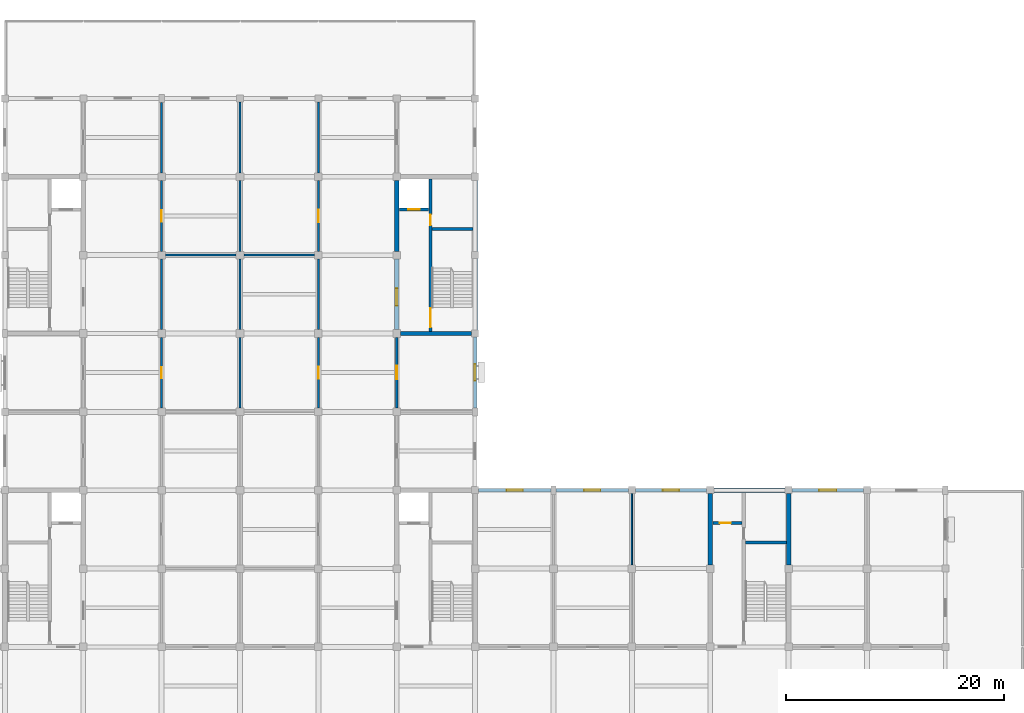
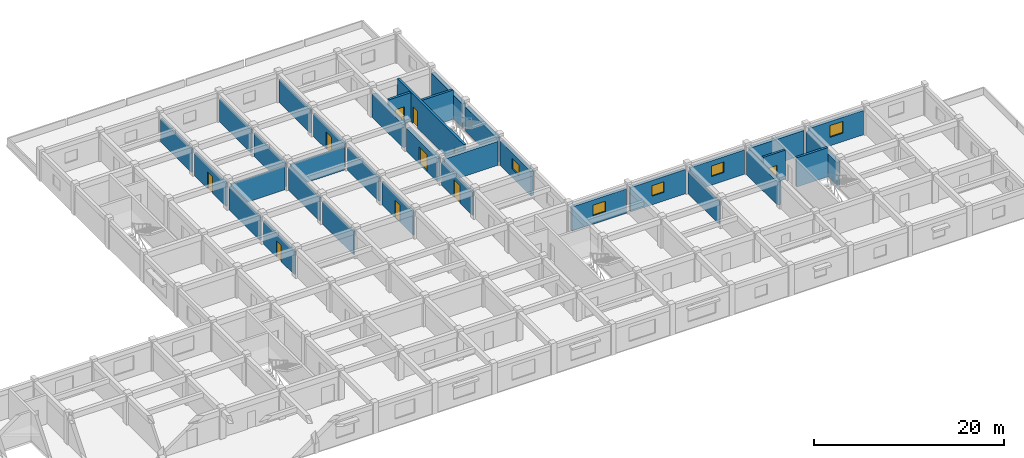
# One storey, part 8 of 16: 34 walls, 10 doors, 5 windows, 15 openings.
"""IFC4 building model written with IfcOpenShell, lengths in metres."""

from ifc_helpers import new_model, si_unit, direction, frame, frame_2d, origin, place, context, subcontext, project, spatial, rectangle, extrude, material, layer, layer_set, type_object, element, fill, save


model = new_model("IFC4")

# Units and contexts
model_context = context("Model", 3, precision=1e-05, world=origin(), true_north=direction((0.0, 1.0)))
body_context = subcontext(model_context, "Body", "Model", "MODEL_VIEW")
ifc_project = project(units=[si_unit("LENGTHUNIT", "METRE"), si_unit("AREAUNIT", "SQUARE_METRE"), si_unit("VOLUMEUNIT", "CUBIC_METRE"), si_unit("PLANEANGLEUNIT", "RADIAN"), si_unit("MASSUNIT", "GRAM", prefix="KILO")], contexts=[model_context])

# Site, building, storey
site_placement = place(None, origin())
site = spatial("IfcSite", under=ifc_project, at=site_placement, CompositionType="ELEMENT")
building_placement = place(site_placement, origin())
building = spatial("IfcBuilding", under=site, at=building_placement, Name="Cendaluz Park School", CompositionType="ELEMENT")
storey_placement = place(building_placement, frame((0.0, 0.0, 22.60009765625)))
storey = spatial("IfcBuildingStorey", under=building, at=storey_placement, Name="L05", CompositionType="ELEMENT", Elevation=22.60009765625)

# Wall, opening, door
ifc_material_1 = material(Name="Gypsum Plasterboard on Cold-Formed Stud", Category="gypsum")
ifc_layer_1 = layer(ifc_material_1, 0.199951171875)
ifc_layer_set_1 = layer_set([ifc_layer_1], Name="Gypsum Plasterboard on Cold-Formed Stud")
wall_type_1 = type_object("IfcWallType", Name="W-AC20", PredefinedType="PARTITIONING", material=ifc_layer_set_1)
wall_1_placement = place(storey_placement, frame((79.199951171875, 36.35009765625, 0.0), z_axis=(0.0, 0.0, 1.0), x_axis=(0.0, 1.0, 0.0)))
wall_1 = element("IfcWall", 1, at=wall_1_placement, inside=storey, type_object=wall_type_1, Name="WL-FF-BT3", PredefinedType="PARTITIONING", context=body_context, shape_type="SweptSolid", body=[
    extrude(rectangle(XDim=6.5, YDim=0.199951171875, at=frame_2d((3.25, 0.0))), origin(), (0.0, 0.0, 1.0), 2.97998046875),
])
opening_1_placement = place(wall_1_placement, frame((2.739990234375, 0.0, 0.0)))
opening_1 = element("IfcOpeningElement", 2, at=opening_1_placement, cuts=wall_1, Name="Opening DCL-02", PredefinedType="OPENING", context=body_context, shape_type="SweptSolid", body=[
    extrude(rectangle(XDim=1.02001953125, YDim=2.1201171875, at=frame_2d((0.510009765625, 1.06005859375))), frame((0.0, 0.112060546875, 0.0), z_axis=(0.0, -1.0, 0.0), x_axis=(1.0, 0.0, 0.0)), (0.0, 0.0, 1.0), 0.223876953125),
])
ifc_material_2 = material(Name="Solid Core Hardwood", Category="wood")
door_type_1 = type_object("IfcDoorType", Name="DCL-02", OperationType="NOTDEFINED", PredefinedType="DOOR", material=ifc_material_2)
door_1_placement = place(opening_1_placement, frame((1.02001953125, 0.0, 0.0), z_axis=(0.0, 0.0, 1.0), x_axis=(-1.0, 0.0, 0.0)))
door_1 = element("IfcDoor", 3, at=door_1_placement, inside=storey, type_object=door_type_1, Name="D-L05-042", OperationType="SINGLE_SWING_RIGHT", OverallHeight=2.1201171875, OverallWidth=1.02001953125, PredefinedType="DOOR", context=body_context, shape_type="SweptSolid", body=[
    extrude(rectangle(XDim=1.02001953125, YDim=2.1201171875, at=frame_2d((0.510009765625, 1.06005859375))), frame((0.0, 0.02490234375, 0.0), z_axis=(0.0, -1.0, 0.0), x_axis=(1.0, 0.0, 0.0)), (0.0, 0.0, 1.0), 0.050048828125),
])
fill(opening_1, door_1)

# Walls
for number, where, z_axis, x_axis, name in (
    (4, (86.39990234375, 36.35009765625, 0.0), (0.0, 0.0, 1.0), (0.0, 1.0, 0.0), "WL-FF-BT4"),
    (5, (79.550048828125, 50.39990234375, 0.0), (0.0, 0.0, 1.0), (1.0, 0.0, 0.0), "WL-FF-BT5"),
    (6, (79.199951171875, 43.550048828125, 0.0), (0.0, 0.0, 1.0), (0.0, 1.0, 0.0), "WL-FF-BT6"),
    (7, (86.39990234375, 43.550048828125, 0.0), (0.0, 0.0, 1.0), (0.0, 1.0, 0.0), "WL-FF-BT7"),
):
    element("IfcWall", number, at=place(storey_placement, frame(where, z_axis=z_axis, x_axis=x_axis)), inside=storey, type_object=wall_type_1, Name=name, PredefinedType="PARTITIONING", context=body_context, shape_type="SweptSolid", body=[
        extrude(rectangle(XDim=6.5, YDim=0.199951171875, at=frame_2d((3.25, 0.0))), origin(), (0.0, 0.0, 1.0), 2.97998046875),
    ])

# Wall, opening, door
wall_2_placement = place(storey_placement, frame((79.199951171875, 50.75, 0.0), z_axis=(0.0, 0.0, 1.0), x_axis=(0.0, 1.0, 0.0)))
wall_2 = element("IfcWall", 8, at=wall_2_placement, inside=storey, type_object=wall_type_1, Name="WL-FF-BT8", PredefinedType="PARTITIONING", context=body_context, shape_type="SweptSolid", body=[
    extrude(rectangle(XDim=6.5, YDim=0.199951171875, at=frame_2d((3.25, 0.0))), origin(), (0.0, 0.0, 1.0), 2.97998046875),
])
opening_2_placement = place(wall_2_placement, frame((2.72998046875, 0.0, 0.0)))
opening_2 = element("IfcOpeningElement", 9, at=opening_2_placement, cuts=wall_2, Name="Opening DCL-03", PredefinedType="OPENING", context=body_context, shape_type="SweptSolid", body=[
    extrude(rectangle(XDim=1.0400390625, YDim=2.139892578125, at=frame_2d((0.52001953125, 1.06982421875))), frame((0.0, 0.112060546875, 0.0), z_axis=(0.0, -1.0, 0.0), x_axis=(1.0, 0.0, 0.0)), (0.0, 0.0, 1.0), 0.223876953125),
])
door_type_2 = type_object("IfcDoorType", Name="DCL-03", OperationType="NOTDEFINED", PredefinedType="DOOR", material=ifc_material_2)
door_2_placement = place(opening_2_placement, frame((1.0400390625, 0.0, 0.0), z_axis=(0.0, 0.0, 1.0), x_axis=(-1.0, 0.0, 0.0)))
door_2 = element("IfcDoor", 10, at=door_2_placement, inside=storey, type_object=door_type_2, Name="D-L05-043", OperationType="SINGLE_SWING_LEFT", OverallHeight=2.139892578125, OverallWidth=1.0400390625, PredefinedType="DOOR", context=body_context, shape_type="SweptSolid", body=[
    extrude(rectangle(XDim=1.0400390625, YDim=2.139892578125, at=frame_2d((0.52001953125, 1.06982421875))), frame((0.0, 0.02490234375, 0.0), z_axis=(0.0, -1.0, 0.0), x_axis=(1.0, 0.0, 0.0)), (0.0, 0.0, 1.0), 0.050048828125),
])
fill(opening_2, door_2)

# Walls
wall_3_placement = place(storey_placement, frame((86.39990234375, 50.75, 0.0), z_axis=(0.0, 0.0, 1.0), x_axis=(0.0, 1.0, 0.0)))
element("IfcWall", 11, at=wall_3_placement, inside=storey, type_object=wall_type_1, Name="WL-FF-BT9", PredefinedType="PARTITIONING", context=body_context, shape_type="SweptSolid", body=[
    extrude(rectangle(XDim=6.5, YDim=0.199951171875, at=frame_2d((3.25, 0.0))), origin(), (0.0, 0.0, 1.0), 2.97998046875),
])
wall_4_placement = place(storey_placement, frame((79.199951171875, 57.949951171875, 0.0), z_axis=(0.0, 0.0, 1.0), x_axis=(0.0, 1.0, 0.0)))
element("IfcWall", 12, at=wall_4_placement, inside=storey, type_object=wall_type_1, Name="WL-FF-BU0", PredefinedType="PARTITIONING", context=body_context, shape_type="SweptSolid", body=[
    extrude(rectangle(XDim=6.47509765625, YDim=0.199951171875, at=frame_2d((3.237548828125, 0.0))), origin(), (0.0, 0.0, 1.0), 2.97998046875),
])
wall_5_placement = place(storey_placement, frame((86.39990234375, 57.949951171875, 0.0), z_axis=(0.0, 0.0, 1.0), x_axis=(0.0, 1.0, 0.0)))
element("IfcWall", 13, at=wall_5_placement, inside=storey, type_object=wall_type_1, Name="WL-FF-BU1", PredefinedType="PARTITIONING", context=body_context, shape_type="SweptSolid", body=[
    extrude(rectangle(XDim=6.525146484375, YDim=0.199951171875, at=frame_2d((3.2626953125, 0.0))), origin(), (0.0, 0.0, 1.0), 2.97998046875),
])

# Wall, opening, door
wall_6_placement = place(storey_placement, frame((93.60009765625, 36.35009765625, 0.0), z_axis=(0.0, 0.0, 1.0), x_axis=(0.0, 1.0, 0.0)))
wall_6 = element("IfcWall", 14, at=wall_6_placement, inside=storey, type_object=wall_type_1, Name="WL-FF-BU8", PredefinedType="PARTITIONING", context=body_context, shape_type="SweptSolid", body=[
    extrude(rectangle(XDim=6.5, YDim=0.199951171875, at=frame_2d((3.25, 0.0))), origin(), (0.0, 0.0, 1.0), 2.97998046875),
])
opening_3_placement = place(wall_6_placement, frame((2.68994140625, 0.0, 0.0)))
opening_3 = element("IfcOpeningElement", 15, at=opening_3_placement, cuts=wall_6, Name="Opening DCL-06", PredefinedType="OPENING", context=body_context, shape_type="SweptSolid", body=[
    extrude(rectangle(XDim=1.1201171875, YDim=2.199951171875, at=frame_2d((0.56005859375, 1.10009765625))), frame((0.0, 0.112060546875, 0.0), z_axis=(0.0, -1.0, 0.0), x_axis=(1.0, 0.0, 0.0)), (0.0, 0.0, 1.0), 0.223876953125),
])
door_type_3 = type_object("IfcDoorType", Name="DCL-06", OperationType="NOTDEFINED", PredefinedType="DOOR", material=ifc_material_2)
door_3_placement = place(opening_3_placement, origin())
door_3 = element("IfcDoor", 16, at=door_3_placement, inside=storey, type_object=door_type_3, Name="D-L05-046", OperationType="SINGLE_SWING_RIGHT", OverallHeight=2.199951171875, OverallWidth=1.1201171875, PredefinedType="DOOR", context=body_context, shape_type="SweptSolid", body=[
    extrude(rectangle(XDim=1.1201171875, YDim=2.199951171875, at=frame_2d((0.56005859375, 1.10009765625))), frame((0.0, 0.02490234375, 0.0), z_axis=(0.0, -1.0, 0.0), x_axis=(1.0, 0.0, 0.0)), (0.0, 0.0, 1.0), 0.050048828125),
])
fill(opening_3, door_3)

# Walls
for number, where, z_axis, x_axis, name in (
    (17, (86.75, 50.39990234375, 0.0), (0.0, 0.0, 1.0), (1.0, 0.0, 0.0), "WL-FF-BU9"),
    (18, (93.60009765625, 43.550048828125, 0.0), (0.0, 0.0, 1.0), (0.0, 1.0, 0.0), "WL-FF-BV0"),
):
    element("IfcWall", number, at=place(storey_placement, frame(where, z_axis=z_axis, x_axis=x_axis)), inside=storey, type_object=wall_type_1, Name=name, PredefinedType="PARTITIONING", context=body_context, shape_type="SweptSolid", body=[
        extrude(rectangle(XDim=6.5, YDim=0.199951171875, at=frame_2d((3.25, 0.0))), origin(), (0.0, 0.0, 1.0), 2.97998046875),
    ])

# Wall, opening, door
wall_7_placement = place(storey_placement, frame((93.60009765625, 50.75, 0.0), z_axis=(0.0, 0.0, 1.0), x_axis=(0.0, 1.0, 0.0)))
wall_7 = element("IfcWall", 19, at=wall_7_placement, inside=storey, type_object=wall_type_1, Name="WL-FF-BV1", PredefinedType="PARTITIONING", context=body_context, shape_type="SweptSolid", body=[
    extrude(rectangle(XDim=6.5, YDim=0.199951171875, at=frame_2d((3.25, 0.0))), origin(), (0.0, 0.0, 1.0), 2.97998046875),
])
opening_4_placement = place(wall_7_placement, frame((2.669921875, 0.0, 0.0)))
opening_4 = element("IfcOpeningElement", 20, at=opening_4_placement, cuts=wall_7, Name="Opening DCL-07", PredefinedType="OPENING", context=body_context, shape_type="SweptSolid", body=[
    extrude(rectangle(XDim=1.159912109375, YDim=2.219970703125, at=frame_2d((0.580078125, 1.10986328125))), frame((0.0, 0.112060546875, 0.0), z_axis=(0.0, -1.0, 0.0), x_axis=(1.0, 0.0, 0.0)), (0.0, 0.0, 1.0), 0.223876953125),
])
door_type_4 = type_object("IfcDoorType", Name="DCL-07", OperationType="NOTDEFINED", PredefinedType="DOOR", material=ifc_material_2)
door_4_placement = place(opening_4_placement, origin())
door_4 = element("IfcDoor", 21, at=door_4_placement, inside=storey, type_object=door_type_4, Name="D-L05-047", OperationType="SINGLE_SWING_LEFT", OverallHeight=2.219970703125, OverallWidth=1.159912109375, PredefinedType="DOOR", context=body_context, shape_type="SweptSolid", body=[
    extrude(rectangle(XDim=1.159912109375, YDim=2.219970703125, at=frame_2d((0.580078125, 1.10986328125))), frame((0.0, 0.02490234375, 0.0), z_axis=(0.0, -1.0, 0.0), x_axis=(1.0, 0.0, 0.0)), (0.0, 0.0, 1.0), 0.050048828125),
])
fill(opening_4, door_4)

# Wall
wall_8_placement = place(storey_placement, frame((93.60009765625, 57.949951171875, 0.0), z_axis=(0.0, 0.0, 1.0), x_axis=(0.0, 1.0, 0.0)))
element("IfcWall", 22, at=wall_8_placement, inside=storey, type_object=wall_type_1, Name="WL-FF-BV2", PredefinedType="PARTITIONING", context=body_context, shape_type="SweptSolid", body=[
    extrude(rectangle(XDim=6.525146484375, YDim=0.199951171875, at=frame_2d((3.2626953125, 0.0))), origin(), (0.0, 0.0, 1.0), 2.97998046875),
])

# Wall, opening, door
wall_9_placement = place(storey_placement, frame((100.800048828125, 36.35009765625, 0.0), z_axis=(0.0, 0.0, 1.0), x_axis=(0.0, 1.0, 0.0)))
wall_9 = element("IfcWall", 23, at=wall_9_placement, inside=storey, type_object=wall_type_1, Name="WL-FF-BV5", PredefinedType="PARTITIONING", context=body_context, shape_type="SweptSolid", body=[
    extrude(rectangle(XDim=6.5, YDim=0.199951171875, at=frame_2d((3.25, 0.0))), origin(), (0.0, 0.0, 1.0), 2.97998046875),
])
opening_5_placement = place(wall_9_placement, frame((2.6298828125, 0.0, 0.0)))
opening_5 = element("IfcOpeningElement", 24, at=opening_5_placement, cuts=wall_9, Name="Opening DCL-09", PredefinedType="OPENING", context=body_context, shape_type="SweptSolid", body=[
    extrude(rectangle(XDim=1.239990234375, YDim=2.260009765625, at=frame_2d((0.6201171875, 1.1298828125))), frame((0.0, 0.112060546875, 0.0), z_axis=(0.0, -1.0, 0.0), x_axis=(1.0, 0.0, 0.0)), (0.0, 0.0, 1.0), 0.223876953125),
])
door_type_5 = type_object("IfcDoorType", Name="DCL-09", OperationType="NOTDEFINED", PredefinedType="DOOR", material=ifc_material_2)
door_5_placement = place(opening_5_placement, frame((1.239990234375, 0.0, 0.0), z_axis=(0.0, 0.0, 1.0), x_axis=(-1.0, 0.0, 0.0)))
door_5 = element("IfcDoor", 25, at=door_5_placement, inside=storey, type_object=door_type_5, Name="D-L05-049", OperationType="SINGLE_SWING_LEFT", OverallHeight=2.260009765625, OverallWidth=1.239990234375, PredefinedType="DOOR", context=body_context, shape_type="SweptSolid", body=[
    extrude(rectangle(XDim=1.239990234375, YDim=2.260009765625, at=frame_2d((0.6201171875, 1.1298828125))), frame((0.0, 0.02490234375, 0.0), z_axis=(0.0, -1.0, 0.0), x_axis=(1.0, 0.0, 0.0)), (0.0, 0.0, 1.0), 0.050048828125),
])
fill(opening_5, door_5)

# Wall, opening, window
ifc_material_3 = material(Name="Concrete C40/50 precast", Category="concrete")
ifc_layer_2 = layer(ifc_material_3, 0.340087890625)
ifc_layer_set_2 = layer_set([ifc_layer_2], Name="Concrete C40/50 precast")
wall_type_2 = type_object("IfcWallType", Name="W-EX34", PredefinedType="SOLIDWALL", material=ifc_layer_set_2)
wall_10_placement = place(storey_placement, frame((108.0, 36.375, 0.0), z_axis=(0.0, 0.0, 1.0), x_axis=(0.0, 1.0, 0.0)))
wall_10 = element("IfcWall", 26, at=wall_10_placement, inside=storey, type_object=wall_type_2, Name="WL-FF-AC9", PredefinedType="SOLIDWALL", context=body_context, shape_type="SweptSolid", body=[
    extrude(rectangle(XDim=6.5, YDim=0.340087890625, at=frame_2d((3.25, 0.0))), origin(), (0.0, 0.0, 1.0), 3.119873046875),
])
opening_6_placement = place(wall_10_placement, frame((2.5, 0.0, 1.10009765625)))
opening_6 = element("IfcOpeningElement", 27, at=opening_6_placement, cuts=wall_10, Name="Opening WN-20", PredefinedType="OPENING", context=body_context, shape_type="SweptSolid", body=[
    extrude(rectangle(XDim=1.5, YDim=1.35009765625, at=frame_2d((0.75, 0.675048828125))), frame((0.0, 0.18212890625, 0.0), z_axis=(0.0, -1.0, 0.0), x_axis=(1.0, 0.0, 0.0)), (0.0, 0.0, 1.0), 0.364013671875),
])
ifc_material_4 = material(Name="Tempered Low-E Double Glazing", Category="glass")
window_type_1 = type_object("IfcWindowType", Name="WN-20", PartitioningType="SINGLE_PANEL", PredefinedType="WINDOW", material=ifc_material_4)
window_1_placement = place(opening_6_placement, origin())
window_1 = element("IfcWindow", 28, at=window_1_placement, inside=storey, type_object=window_type_1, Name="WN-L05-030", OverallHeight=1.35009765625, OverallWidth=1.5, PartitioningType="SINGLE_PANEL", PredefinedType="WINDOW", context=body_context, shape_type="SweptSolid", body=[
    extrude(rectangle(XDim=1.5, YDim=1.35009765625, at=frame_2d((0.75, 0.675048828125))), frame((0.0, 0.030029296875, 0.0), z_axis=(0.0, -1.0, 0.0), x_axis=(1.0, 0.0, 0.0)), (0.0, 0.0, 1.0), 0.06005859375),
])
fill(opening_6, window_1)

wall_11_placement = place(storey_placement, frame((108.324951171875, 28.800048828125, 0.0), z_axis=(0.0, 0.0, 1.0), x_axis=(1.0, 0.0, 0.0)))
wall_11 = element("IfcWall", 29, at=wall_11_placement, inside=storey, type_object=wall_type_2, Name="WL-FF-AD3", PredefinedType="SOLIDWALL", context=body_context, shape_type="SweptSolid", body=[
    extrude(rectangle(XDim=6.625, YDim=0.340087890625, at=frame_2d((3.3125, 0.0))), origin(), (0.0, 0.0, 1.0), 3.119873046875),
])
opening_7_placement = place(wall_11_placement, frame((2.5625, 0.0, 1.10009765625)))
opening_7 = element("IfcOpeningElement", 30, at=opening_7_placement, cuts=wall_11, Name="Opening WN-20", PredefinedType="OPENING", context=body_context, shape_type="SweptSolid", body=[
    extrude(rectangle(XDim=1.5, YDim=1.35009765625, at=frame_2d((0.75, 0.675048828125))), frame((0.0, 0.18212890625, 0.0), z_axis=(0.0, -1.0, 0.0), x_axis=(1.0, 0.0, 0.0)), (0.0, 0.0, 1.0), 0.364013671875),
])
window_2_placement = place(opening_7_placement, origin())
window_2 = element("IfcWindow", 31, at=window_2_placement, inside=storey, type_object=window_type_1, Name="WN-L05-034", OverallHeight=1.35009765625, OverallWidth=1.5, PartitioningType="SINGLE_PANEL", PredefinedType="WINDOW", context=body_context, shape_type="SweptSolid", body=[
    extrude(rectangle(XDim=1.5, YDim=1.35009765625, at=frame_2d((0.75, 0.675048828125))), frame((0.0, 0.030029296875, 0.0), z_axis=(0.0, -1.0, 0.0), x_axis=(1.0, 0.0, 0.0)), (0.0, 0.0, 1.0), 0.06005859375),
])
fill(opening_7, window_2)

wall_12_placement = place(storey_placement, frame((115.449951171875, 28.800048828125, 0.0), z_axis=(0.0, 0.0, 1.0), x_axis=(1.0, 0.0, 0.0)))
wall_12 = element("IfcWall", 32, at=wall_12_placement, inside=storey, type_object=wall_type_2, Name="WL-FF-AD5", PredefinedType="SOLIDWALL", context=body_context, shape_type="SweptSolid", body=[
    extrude(rectangle(XDim=6.625, YDim=0.340087890625, at=frame_2d((3.3125, 0.0))), origin(), (0.0, 0.0, 1.0), 3.119873046875),
])
opening_8_placement = place(wall_12_placement, frame((2.5625, 0.0, 1.10009765625)))
opening_8 = element("IfcOpeningElement", 33, at=opening_8_placement, cuts=wall_12, Name="Opening WN-20", PredefinedType="OPENING", context=body_context, shape_type="SweptSolid", body=[
    extrude(rectangle(XDim=1.5, YDim=1.35009765625, at=frame_2d((0.75, 0.675048828125))), frame((0.0, 0.18212890625, 0.0), z_axis=(0.0, -1.0, 0.0), x_axis=(1.0, 0.0, 0.0)), (0.0, 0.0, 1.0), 0.364013671875),
])
window_3_placement = place(opening_8_placement, origin())
window_3 = element("IfcWindow", 34, at=window_3_placement, inside=storey, type_object=window_type_1, Name="WN-L05-036", OverallHeight=1.35009765625, OverallWidth=1.5, PartitioningType="SINGLE_PANEL", PredefinedType="WINDOW", context=body_context, shape_type="SweptSolid", body=[
    extrude(rectangle(XDim=1.5, YDim=1.35009765625, at=frame_2d((0.75, 0.675048828125))), frame((0.0, 0.030029296875, 0.0), z_axis=(0.0, -1.0, 0.0), x_axis=(1.0, 0.0, 0.0)), (0.0, 0.0, 1.0), 0.06005859375),
])
fill(opening_8, window_3)

wall_13_placement = place(storey_placement, frame((122.72509765625, 28.800048828125, 0.0), z_axis=(0.0, 0.0, 1.0), x_axis=(1.0, 0.0, 0.0)))
wall_13 = element("IfcWall", 35, at=wall_13_placement, inside=storey, type_object=wall_type_2, Name="WL-FF-AD7", PredefinedType="SOLIDWALL", context=body_context, shape_type="SweptSolid", body=[
    extrude(rectangle(XDim=6.5498046875, YDim=0.340087890625, at=frame_2d((3.27490234375, 0.0))), origin(), (0.0, 0.0, 1.0), 3.119873046875),
])
opening_9_placement = place(wall_13_placement, frame((2.52490234375, 0.0, 1.10009765625)))
opening_9 = element("IfcOpeningElement", 36, at=opening_9_placement, cuts=wall_13, Name="Opening WN-20", PredefinedType="OPENING", context=body_context, shape_type="SweptSolid", body=[
    extrude(rectangle(XDim=1.5, YDim=1.35009765625, at=frame_2d((0.75, 0.675048828125))), frame((0.0, 0.18212890625, 0.0), z_axis=(0.0, -1.0, 0.0), x_axis=(1.0, 0.0, 0.0)), (0.0, 0.0, 1.0), 0.364013671875),
])
window_4_placement = place(opening_9_placement, origin())
window_4 = element("IfcWindow", 37, at=window_4_placement, inside=storey, type_object=window_type_1, Name="WN-L05-038", OverallHeight=1.35009765625, OverallWidth=1.5, PartitioningType="SINGLE_PANEL", PredefinedType="WINDOW", context=body_context, shape_type="SweptSolid", body=[
    extrude(rectangle(XDim=1.5, YDim=1.35009765625, at=frame_2d((0.75, 0.675048828125))), frame((0.0, 0.030029296875, 0.0), z_axis=(0.0, -1.0, 0.0), x_axis=(1.0, 0.0, 0.0)), (0.0, 0.0, 1.0), 0.06005859375),
])
fill(opening_9, window_4)

wall_14_placement = place(storey_placement, frame((137.125, 28.800048828125, 0.0), z_axis=(0.0, 0.0, 1.0), x_axis=(1.0, 0.0, 0.0)))
wall_14 = element("IfcWall", 38, at=wall_14_placement, inside=storey, type_object=wall_type_2, Name="WL-FF-AE0", PredefinedType="SOLIDWALL", context=body_context, shape_type="SweptSolid", body=[
    extrude(rectangle(XDim=6.550048828125, YDim=0.340087890625, at=frame_2d((3.27490234375, 0.0))), origin(), (0.0, 0.0, 1.0), 3.119873046875),
])
opening_10_placement = place(wall_14_placement, frame((2.47509765625, 0.0, 1.10009765625)))
opening_10 = element("IfcOpeningElement", 39, at=opening_10_placement, cuts=wall_14, Name="Opening WN-16", PredefinedType="OPENING", context=body_context, shape_type="SweptSolid", body=[
    extrude(rectangle(XDim=1.60009765625, YDim=1.5, at=frame_2d((0.800048828125, 0.75))), frame((0.0, 0.18212890625, 0.0), z_axis=(0.0, -1.0, 0.0), x_axis=(1.0, 0.0, 0.0)), (0.0, 0.0, 1.0), 0.364013671875),
])
window_type_2 = type_object("IfcWindowType", Name="WN-16", PartitioningType="SINGLE_PANEL", PredefinedType="WINDOW", material=ifc_material_4)
window_5_placement = place(opening_10_placement, origin())
window_5 = element("IfcWindow", 40, at=window_5_placement, inside=storey, type_object=window_type_2, Name="WN-L05-041", OverallHeight=1.5, OverallWidth=1.60009765625, PartitioningType="SINGLE_PANEL", PredefinedType="WINDOW", context=body_context, shape_type="SweptSolid", body=[
    extrude(rectangle(XDim=1.60009765625, YDim=1.5, at=frame_2d((0.800048828125, 0.75))), frame((0.0, 0.030029296875, 0.0), z_axis=(0.0, -1.0, 0.0), x_axis=(1.0, 0.0, 0.0)), (0.0, 0.0, 1.0), 0.06005859375),
])
fill(opening_10, window_5)

# Wall, openings, doors
ifc_material_5 = material(Name="Concrete C40/50", Category="concrete")
ifc_layer_3 = layer(ifc_material_5, 0.280029296875)
ifc_layer_set_3 = layer_set([ifc_layer_3], Name="Concrete C40/50")
wall_type_3 = type_object("IfcWallType", Name="W-FW28", PredefinedType="SHEAR", material=ifc_layer_set_3)
wall_15_placement = place(storey_placement, frame((103.8798828125, 43.39990234375, 0.0), z_axis=(0.0, 0.0, 1.0), x_axis=(0.0, 1.0, 0.0)))
wall_15 = element("IfcWall", 41, at=wall_15_placement, inside=storey, type_object=wall_type_3, Name="WL-FF-BN7", PredefinedType="SHEAR", context=body_context, shape_type="SweptSolid", body=[
    extrude(rectangle(XDim=14.0, YDim=0.280029296875, at=frame_2d((7.0, 0.0))), origin(), (0.0, 0.0, 1.0), 3.75),
])
opening_11_placement = place(wall_15_placement, frame((0.35009765625, 0.0, 0.0)))
opening_11 = element("IfcOpeningElement", 42, at=opening_11_placement, cuts=wall_15, Name="Opening DST-03", PredefinedType="OPENING", context=body_context, shape_type="SweptSolid", body=[
    extrude(rectangle(XDim=1.75, YDim=2.14990234375, at=frame_2d((0.875, 1.074951171875))), frame((0.0, 0.152099609375, 0.0), z_axis=(0.0, -1.0, 0.0), x_axis=(1.0, 0.0, 0.0)), (0.0, 0.0, 1.0), 0.303955078125),
])
opening_12_placement = place(wall_15_placement, frame((9.719970703125, 0.0, 0.0)))
opening_12 = element("IfcOpeningElement", 43, at=opening_12_placement, cuts=wall_15, Name="Opening DFC-01", PredefinedType="OPENING", context=body_context, shape_type="SweptSolid", body=[
    extrude(rectangle(XDim=1.0, YDim=2.14990234375, at=frame_2d((0.5, 1.074951171875))), frame((0.0, 0.152099609375, 0.0), z_axis=(0.0, -1.0, 0.0), x_axis=(1.0, 0.0, 0.0)), (0.0, 0.0, 1.0), 0.303955078125),
])
door_type_6 = type_object("IfcDoorType", Name="DFC-01", OperationType="NOTDEFINED", PredefinedType="DOOR", material=ifc_material_2)
door_6_placement = place(opening_12_placement, frame((1.0, 0.0, 0.0), z_axis=(0.0, 0.0, 1.0), x_axis=(-1.0, 0.0, 0.0)))
door_6 = element("IfcDoor", 44, at=door_6_placement, inside=storey, type_object=door_type_6, Name="D-L05-017", OperationType="SINGLE_SWING_LEFT", OverallHeight=2.14990234375, OverallWidth=1.0, PredefinedType="DOOR", context=body_context, shape_type="SweptSolid", body=[
    extrude(rectangle(XDim=1.0, YDim=2.14990234375, at=frame_2d((0.5, 1.074951171875))), frame((0.0, 0.02490234375, 0.0), z_axis=(0.0, -1.0, 0.0), x_axis=(1.0, 0.0, 0.0)), (0.0, 0.0, 1.0), 0.050048828125),
])
fill(opening_12, door_6)
door_type_7 = type_object("IfcDoorType", Name="DST-03", OperationType="DOUBLE_DOOR_SINGLE_SWING", PredefinedType="DOOR", material=ifc_material_2)
door_7_placement = place(opening_11_placement, frame((1.75, 0.0, 0.0), z_axis=(0.0, 0.0, 1.0), x_axis=(-1.0, 0.0, 0.0)))
door_7 = element("IfcDoor", 45, at=door_7_placement, inside=storey, type_object=door_type_7, Name="D-L05-016", OperationType="DOUBLE_DOOR_SINGLE_SWING", OverallHeight=2.14990234375, OverallWidth=1.75, PredefinedType="DOOR", context=body_context, shape_type="SweptSolid", body=[
    extrude(rectangle(XDim=1.75, YDim=2.14990234375, at=frame_2d((0.875, 1.074951171875))), frame((0.0, 0.02490234375, 0.0), z_axis=(0.0, -1.0, 0.0), x_axis=(1.0, 0.0, 0.0)), (0.0, 0.0, 1.0), 0.050048828125),
])
fill(opening_11, door_7)

# Wall
wall_16_placement = place(storey_placement, frame((104.02001953125, 52.780029296875, 0.0), z_axis=(0.0, 0.0, 1.0), x_axis=(1.0, 0.0, 0.0)))
element("IfcWall", 46, at=wall_16_placement, inside=storey, type_object=wall_type_3, Name="WL-FF-BN8", PredefinedType="SHEAR", context=body_context, shape_type="SweptSolid", body=[
    extrude(rectangle(XDim=3.780029296875, YDim=0.280029296875, at=frame_2d((1.89013671875, 0.0))), origin(), (0.0, 0.0, 1.0), 3.75),
])

# Wall, opening, door
wall_17_placement = place(storey_placement, frame((101.0400390625, 54.60009765625, 0.0), z_axis=(0.0, 0.0, 1.0), x_axis=(1.0, 0.0, 0.0)))
wall_17 = element("IfcWall", 47, at=wall_17_placement, inside=storey, type_object=wall_type_3, Name="WL-FF-BN9", PredefinedType="SHEAR", context=body_context, shape_type="SweptSolid", body=[
    extrude(rectangle(XDim=2.679931640625, YDim=0.280029296875, at=frame_2d((1.33984375, 0.0))), origin(), (0.0, 0.0, 1.0), 3.75),
])
opening_13_placement = place(wall_17_placement, frame((0.81494140625, 0.0, 0.0)))
opening_13 = element("IfcOpeningElement", 48, at=opening_13_placement, cuts=wall_17, Name="Opening LD-02", PredefinedType="OPENING", context=body_context, shape_type="SweptSolid", body=[
    extrude(rectangle(XDim=1.050048828125, YDim=2.199951171875, at=frame_2d((0.52490234375, 1.10009765625))), frame((0.0, 0.152099609375, 0.0), z_axis=(0.0, -1.0, 0.0), x_axis=(1.0, 0.0, 0.0)), (0.0, 0.0, 1.0), 0.303955078125),
])
ifc_material_6 = material(Name="Stainless Steel 316L", Category="steel")
door_type_8 = type_object("IfcDoorType", Name="LD-02", OperationType="DOUBLE_DOOR_SLIDING", PredefinedType="DOOR", material=ifc_material_6)
door_8_placement = place(opening_13_placement, frame((1.050048828125, 0.0, 0.0), z_axis=(0.0, 0.0, 1.0), x_axis=(-1.0, 0.0, 0.0)))
door_8 = element("IfcDoor", 49, at=door_8_placement, inside=storey, type_object=door_type_8, Name="D-L05-018", OperationType="DOUBLE_DOOR_SLIDING", OverallHeight=2.199951171875, OverallWidth=1.050048828125, PredefinedType="DOOR", context=body_context, shape_type="SweptSolid", body=[
    extrude(rectangle(XDim=1.050048828125, YDim=2.199951171875, at=frame_2d((0.52490234375, 1.10009765625))), frame((0.0, 0.02490234375, 0.0), z_axis=(0.0, -1.0, 0.0), x_axis=(1.0, 0.0, 0.0)), (0.0, 0.0, 1.0), 0.050048828125),
])
fill(opening_13, door_8)

# Wall
wall_18_placement = place(storey_placement, frame((132.820068359375, 23.97998046875, 0.0), z_axis=(0.0, 0.0, 1.0), x_axis=(1.0, 0.0, 0.0)))
element("IfcWall", 50, at=wall_18_placement, inside=storey, type_object=wall_type_3, Name="WL-FF-BP6", PredefinedType="SHEAR", context=body_context, shape_type="SweptSolid", body=[
    extrude(rectangle(XDim=3.780029296875, YDim=0.280029296875, at=frame_2d((1.89013671875, 0.0))), origin(), (0.0, 0.0, 1.0), 3.75),
])

# Wall, opening, door
wall_19_placement = place(storey_placement, frame((129.840087890625, 25.800048828125, 0.0), z_axis=(0.0, 0.0, 1.0), x_axis=(1.0, 0.0, 0.0)))
wall_19 = element("IfcWall", 51, at=wall_19_placement, inside=storey, type_object=wall_type_3, Name="WL-FF-BP7", PredefinedType="SHEAR", context=body_context, shape_type="SweptSolid", body=[
    extrude(rectangle(XDim=2.679931640625, YDim=0.280029296875, at=frame_2d((1.33984375, 0.0))), origin(), (0.0, 0.0, 1.0), 3.75),
])
opening_14_placement = place(wall_19_placement, frame((0.64990234375, 0.0, 0.0)))
opening_14 = element("IfcOpeningElement", 52, at=opening_14_placement, cuts=wall_19, Name="Opening DFC-01", PredefinedType="OPENING", context=body_context, shape_type="SweptSolid", body=[
    extrude(rectangle(XDim=1.0, YDim=2.14990234375, at=frame_2d((0.5, 1.074951171875))), frame((0.0, 0.152099609375, 0.0), z_axis=(0.0, -1.0, 0.0), x_axis=(1.0, 0.0, 0.0)), (0.0, 0.0, 1.0), 0.303955078125),
])
door_9_placement = place(opening_14_placement, frame((1.0, 0.0, 0.0), z_axis=(0.0, 0.0, 1.0), x_axis=(-1.0, 0.0, 0.0)))
door_9 = element("IfcDoor", 53, at=door_9_placement, inside=storey, type_object=door_type_6, Name="D-L05-026", OperationType="SINGLE_SWING_RIGHT", OverallHeight=2.14990234375, OverallWidth=1.0, PredefinedType="DOOR", context=body_context, shape_type="SweptSolid", body=[
    extrude(rectangle(XDim=1.0, YDim=2.14990234375, at=frame_2d((0.5, 1.074951171875))), frame((0.0, 0.02490234375, 0.0), z_axis=(0.0, -1.0, 0.0), x_axis=(1.0, 0.0, 0.0)), (0.0, 0.0, 1.0), 0.050048828125),
])
fill(opening_14, door_9)

# Wall
ifc_layer_4 = layer(ifc_material_1, 0.1201171875)
ifc_layer_set_4 = layer_set([ifc_layer_4], Name="Gypsum Plasterboard on Cold-Formed Stud")
wall_type_4 = type_object("IfcWallType", Name="W-MV12", PredefinedType="MOVABLE", material=ifc_layer_set_4)
wall_20_placement = place(storey_placement, frame((122.39990234375, 21.949951171875, 0.0), z_axis=(0.0, 0.0, 1.0), x_axis=(0.0, 1.0, 0.0)))
element("IfcWall", 54, at=wall_20_placement, inside=storey, type_object=wall_type_4, Name="WL-FF-BR4", PredefinedType="MOVABLE", context=body_context, shape_type="SweptSolid", body=[
    extrude(rectangle(XDim=6.525146484375, YDim=0.1201171875, at=frame_2d((3.2626953125, 0.0))), origin(), (0.0, 0.0, 1.0), 2.97998046875),
])

# Wall, opening, door
ifc_layer_5 = layer(ifc_material_5, 0.39990234375)
ifc_layer_set_5 = layer_set([ifc_layer_5], Name="Concrete C40/50")
wall_type_5 = type_object("IfcWallType", Name="W-SH40", PredefinedType="SHEAR", material=ifc_layer_set_5)
wall_21_placement = place(storey_placement, frame((100.800048828125, 43.550048828125, 0.0), z_axis=(0.0, 0.0, 1.0), x_axis=(0.0, 1.0, 0.0)))
wall_21 = element("IfcWall", 55, at=wall_21_placement, inside=storey, type_object=wall_type_5, Name="WL-FF-BN1", PredefinedType="SHEAR", context=body_context, shape_type="SweptSolid", body=[
    extrude(rectangle(XDim=6.5, YDim=0.39990234375, at=frame_2d((3.25, 0.0))), origin(), (0.0, 0.0, 1.0), 2.97998046875),
])
opening_15_placement = place(wall_21_placement, frame((2.199951171875, 0.0, 0.0)))
opening_15 = element("IfcOpeningElement", 56, at=opening_15_placement, cuts=wall_21, Name="Opening DLB-01", PredefinedType="OPENING", context=body_context, shape_type="SweptSolid", body=[
    extrude(rectangle(XDim=1.60009765625, YDim=2.199951171875, at=frame_2d((0.800048828125, 1.10009765625))), frame((0.0, 0.2119140625, 0.0), z_axis=(0.0, -1.0, 0.0), x_axis=(1.0, 0.0, 0.0)), (0.0, 0.0, 1.0), 0.423828125),
])
door_type_9 = type_object("IfcDoorType", Name="DLB-01", OperationType="DOUBLE_DOOR_SINGLE_SWING", PredefinedType="DOOR", material=ifc_material_2)
door_10_placement = place(opening_15_placement, frame((1.60009765625, 0.0, 0.0), z_axis=(0.0, 0.0, 1.0), x_axis=(-1.0, 0.0, 0.0)))
door_10 = element("IfcDoor", 57, at=door_10_placement, inside=storey, type_object=door_type_9, Name="D-L05-015", OperationType="DOUBLE_DOOR_SINGLE_SWING", OverallHeight=2.199951171875, OverallWidth=1.60009765625, PredefinedType="DOOR", context=body_context, shape_type="SweptSolid", body=[
    extrude(rectangle(XDim=1.60009765625, YDim=2.199951171875, at=frame_2d((0.800048828125, 1.10009765625))), frame((0.0, 0.02490234375, 0.0), z_axis=(0.0, -1.0, 0.0), x_axis=(1.0, 0.0, 0.0)), (0.0, 0.0, 1.0), 0.050048828125),
])
fill(opening_15, door_10)

# Walls
wall_22_placement = place(storey_placement, frame((100.800048828125, 50.75, 0.0), z_axis=(0.0, 0.0, 1.0), x_axis=(0.0, 1.0, 0.0)))
element("IfcWall", 58, at=wall_22_placement, inside=storey, type_object=wall_type_5, Name="WL-FF-BN2", PredefinedType="SHEAR", context=body_context, shape_type="SweptSolid", body=[
    extrude(rectangle(XDim=6.5, YDim=0.39990234375, at=frame_2d((3.25, 0.0))), origin(), (0.0, 0.0, 1.0), 2.97998046875),
])
wall_23_placement = place(storey_placement, frame((108.0, 43.52490234375, 0.0), z_axis=(0.0, 0.0, 1.0), x_axis=(0.0, 1.0, 0.0)))
element("IfcWall", 59, at=wall_23_placement, inside=storey, type_object=wall_type_5, Name="WL-FF-BN3", PredefinedType="SHEAR", context=body_context, shape_type="SweptSolid", body=[
    extrude(rectangle(XDim=6.550048828125, YDim=0.39990234375, at=frame_2d((3.27490234375, 0.0))), origin(), (0.0, 0.0, 1.0), 3.119873046875),
])
wall_24_placement = place(storey_placement, frame((108.0, 50.72509765625, 0.0), z_axis=(0.0, 0.0, 1.0), x_axis=(0.0, 1.0, 0.0)))
element("IfcWall", 60, at=wall_24_placement, inside=storey, type_object=wall_type_5, Name="WL-FF-BN4", PredefinedType="SHEAR", context=body_context, shape_type="SweptSolid", body=[
    extrude(rectangle(XDim=6.5498046875, YDim=0.39990234375, at=frame_2d((3.27490234375, 0.0))), origin(), (0.0, 0.0, 1.0), 3.119873046875),
])
wall_25_placement = place(storey_placement, frame((101.14990234375, 43.199951171875, 0.0), z_axis=(0.0, 0.0, 1.0), x_axis=(1.0, 0.0, 0.0)))
element("IfcWall", 61, at=wall_25_placement, inside=storey, type_object=wall_type_5, Name="WL-FF-BN5", PredefinedType="SHEAR", context=body_context, shape_type="SweptSolid", body=[
    extrude(rectangle(XDim=6.525146484375, YDim=0.39990234375, at=frame_2d((3.2626953125, 0.0))), origin(), (0.0, 0.0, 1.0), 3.0498046875),
])
for number, where, z_axis, x_axis, name in (
    (62, (129.60009765625, 21.949951171875, 0.0), (0.0, 0.0, 1.0), (0.0, 1.0, 0.0), "WL-FF-BP0"),
    (63, (136.800048828125, 21.949951171875, 0.0), (0.0, 0.0, 1.0), (0.0, 1.0, 0.0), "WL-FF-BP2"),
):
    element("IfcWall", number, at=place(storey_placement, frame(where, z_axis=z_axis, x_axis=x_axis)), inside=storey, type_object=wall_type_5, Name=name, PredefinedType="SHEAR", context=body_context, shape_type="SweptSolid", body=[
        extrude(rectangle(XDim=6.525146484375, YDim=0.39990234375, at=frame_2d((3.2626953125, 0.0))), origin(), (0.0, 0.0, 1.0), 2.97998046875),
    ])
wall_26_placement = place(storey_placement, frame((129.925048828125, 28.800048828125, 0.0), z_axis=(0.0, 0.0, 1.0), x_axis=(1.0, 0.0, 0.0)))
element("IfcWall", 64, at=wall_26_placement, inside=storey, type_object=wall_type_5, Name="WL-FF-BP4", PredefinedType="SHEAR", context=body_context, shape_type="SweptSolid", body=[
    extrude(rectangle(XDim=6.550048828125, YDim=0.39990234375, at=frame_2d((3.27490234375, 0.0))), origin(), (0.0, 0.0, 1.0), 3.119873046875),
])

save(model, "model.ifc")
